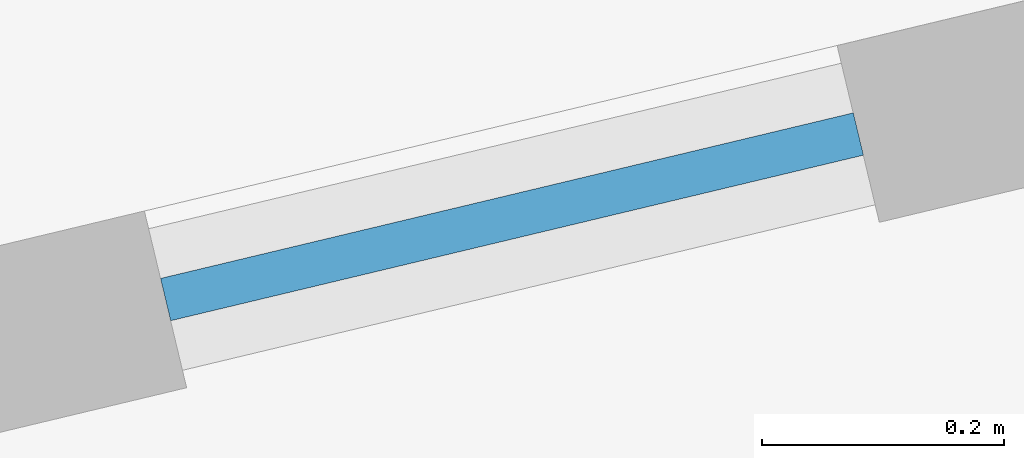
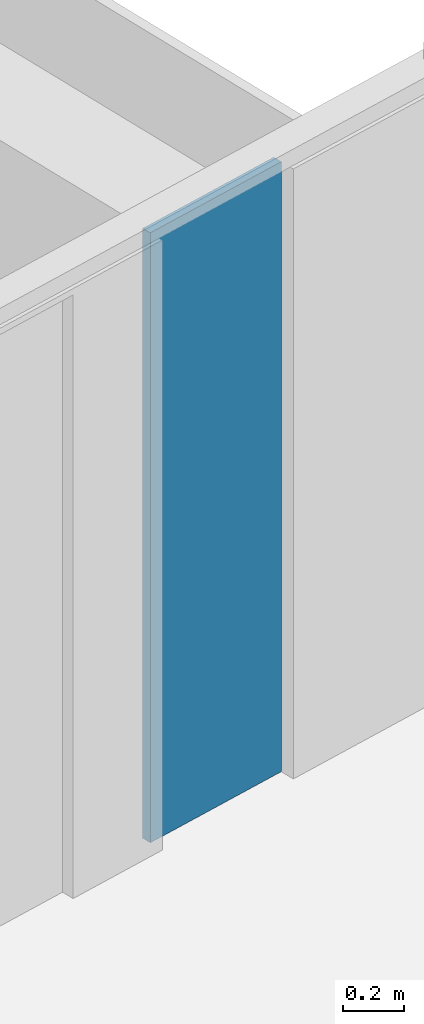
# One storey, part 15 of 27: 1 plate, 1 element without a shape of its own.
"""IFC4 building model written with IfcOpenShell, lengths in metres."""

from ifc_helpers import new_model, si_unit, direction, frame, origin, origin_2d, place, context, subcontext, project, spatial, rectangle, extrude, material, layer, layer_set, type_object, element, aggregate, save


model = new_model("IFC4")

# Units and contexts
model_context = context("Model", 3, precision=1e-05, world=origin(), true_north=direction((0.0, 1.0)))
body_context = subcontext(model_context, "Body", "Model", "MODEL_VIEW")
ifc_project = project(units=[si_unit("LENGTHUNIT", "METRE"), si_unit("AREAUNIT", "SQUARE_METRE"), si_unit("VOLUMEUNIT", "CUBIC_METRE"), si_unit("PLANEANGLEUNIT", "RADIAN"), si_unit("MASSUNIT", "GRAM", prefix="KILO")], contexts=[model_context])

# Site, building, storey
site_placement = place(None, origin())
site = spatial("IfcSite", under=ifc_project, at=site_placement, CompositionType="ELEMENT")
building_placement = place(site_placement, origin())
building = spatial("IfcBuilding", under=site, at=building_placement, Name="Verdalira Terraces Hotel", CompositionType="ELEMENT")
storey_placement = place(building_placement, frame((0.0, 0.0, 89.5)))
storey = spatial("IfcBuildingStorey", under=building, at=storey_placement, Name="L20", CompositionType="ELEMENT", Elevation=89.5)

# Curtain wall, plate
ifc_material_1 = material(Name="Clear glass", Category="glass")
ifc_layer_1 = layer(ifc_material_1, 0.14990234375)
ifc_layer_set_1 = layer_set([ifc_layer_1], Name="CW3 curtain wall")
curtain_wall_type = type_object("IfcCurtainWallType", Name="CW3 curtain wall", PredefinedType="NOTDEFINED", material=ifc_layer_set_1)
curtain_wall_placement = place(storey_placement, origin())
curtain_wall = element("IfcCurtainWall", 1, at=curtain_wall_placement, inside=storey, type_object=curtain_wall_type, Name="CW3 curtain wall L20 edge 5", PredefinedType="NOTDEFINED")
ifc_material_2 = material(Name="Clear glass", Category="glass")
ifc_layer_2 = layer(ifc_material_2, 0.035888671875)
ifc_layer_set_2 = layer_set([ifc_layer_2], Name="CW3 glass unit 36")
plate_type = type_object("IfcPlateType", Name="CW3 glass unit 36", PredefinedType="CURTAIN_PANEL", material=ifc_layer_set_2)
plate_placement = place(storey_placement, frame((-7.086426, 33.930176, 0.0), z_axis=(0.0, 0.0, 1.0), x_axis=(-0.972613851, -0.232426973, 0.0)))
plate = element("IfcPlate", 2, at=plate_placement, type_object=plate_type, Name="CW3 glass unit", PredefinedType="CURTAIN_PANEL", context=body_context, shape_type="SweptSolid", body=[
    extrude(rectangle(XDim=0.587646, YDim=0.035889, at=origin_2d()), origin(), (0.0, 0.0, 1.0), 2.425049),
])
aggregate(curtain_wall, [plate])

save(model, "model.ifc")
